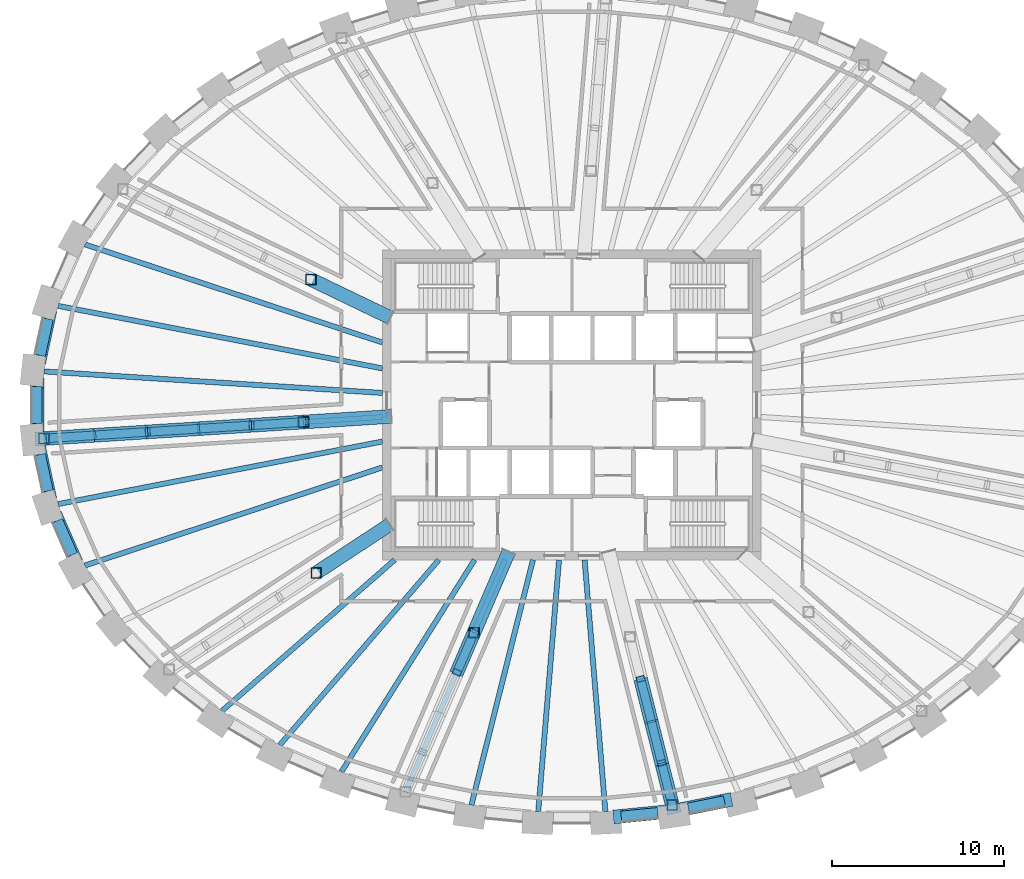
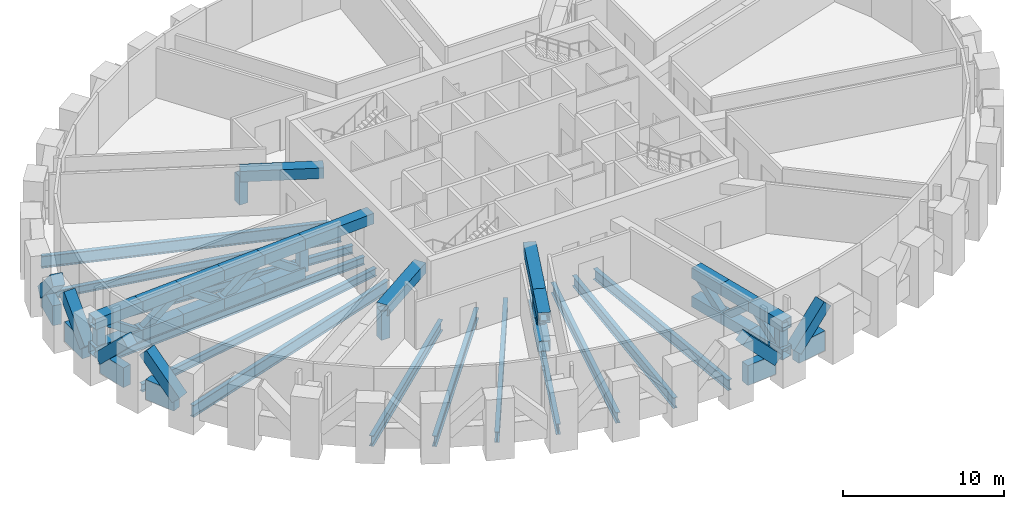
# One storey, part 2 of 12: 43 members, 19 beams.
"""IFC4 building model written with IfcOpenShell, lengths in metres."""

from ifc_helpers import new_model, si_unit, direction, frame, origin, origin_2d, place, context, subcontext, project, spatial, rectangle, hollow_rectangle, i_section, extrude, source, transform, mapped, material, material_profile, profile_set, type_object, element, save


model = new_model("IFC4")

# Units and contexts
model_context = context("Model", 3, precision=1e-05, world=origin(), true_north=direction((0.0, 1.0)))
body_context = subcontext(model_context, "Body", "Model", "MODEL_VIEW")
ifc_project = project(units=[si_unit("LENGTHUNIT", "METRE"), si_unit("AREAUNIT", "SQUARE_METRE"), si_unit("VOLUMEUNIT", "CUBIC_METRE"), si_unit("PLANEANGLEUNIT", "RADIAN"), si_unit("MASSUNIT", "GRAM", prefix="KILO")], contexts=[model_context])

# Site, building, storey
site_placement = place(None, origin())
site = spatial("IfcSite", under=ifc_project, at=site_placement, CompositionType="ELEMENT")
building_placement = place(site_placement, origin())
building = spatial("IfcBuilding", under=site, at=building_placement, Name="Embergate Tower", CompositionType="ELEMENT")
storey_placement = place(building_placement, frame((0.0, 0.0, 289.0)))
storey = spatial("IfcBuildingStorey", under=building, at=storey_placement, Name="L67", CompositionType="ELEMENT", Elevation=289.0)

# Beams
ifc_material_1 = material(Name="Concrete C50", Category="concrete")
ifc_material_profile_1 = material_profile(ifc_material_1, rectangle(XDim=0.60009765625, YDim=1.5, at=origin_2d()), Name="RC 600x1500")
ifc_profile_set_1 = profile_set([ifc_material_profile_1], Name="Concrete C50")
beam_type_1 = type_object("IfcBeamType", Name="Spandrel beam RC 600x1500 C50", PredefinedType="BEAM", material=ifc_profile_set_1)
shared_shape_1 = source(origin(), body_context, "Body", "SweptSolid", [
    extrude(rectangle(XDim=0.60009765625, YDim=1.5, at=origin_2d()), origin(), (0.0, 0.0, 1.0), 2.17041015625),
])
for number, where, z_axis, x_axis, name in (
    (1, (-30.41796875, 4.9970703125, 0.0), (-0.210112850605, -0.977677139965, 0.0), (0.977677139965, -0.210112850605, 0.0), "SPN-L67-20"),
    (2, (-30.8740234375, -2.875, 0.0), (0.210112850605, -0.977677139965, 0.0), (0.977677139965, 0.210112850605, 0.0), "SPN-L67-22"),
):
    element("IfcBeam", number, at=place(storey_placement, frame(where, z_axis=z_axis, x_axis=x_axis)), inside=storey, type_object=beam_type_1, Name=name, PredefinedType="BEAM", context=body_context, shape_type="MappedRepresentation", body=[
        mapped(shared_shape_1, transform((0.0, 0.0, 0.0))),
    ])
shared_shape_2 = source(origin(), body_context, "Body", "SweptSolid", [
    extrude(rectangle(XDim=0.60009765625, YDim=1.5, at=origin_2d()), origin(), (0.0, 0.0, 1.0), 2.1669921875),
])
beam_1_placement = place(storey_placement, frame((-29.864013671875, -6.708984375, 0.0), z_axis=(0.401994669844, -0.915642007237, 0.0), x_axis=(0.915642007237, 0.401994669844, 0.0)))
element("IfcBeam", 3, at=beam_1_placement, inside=storey, type_object=beam_type_1, Name="SPN-L67-23", PredefinedType="BEAM", context=body_context, shape_type="MappedRepresentation", body=[
    mapped(shared_shape_2, transform((0.0, 0.0, 0.0))),
])
shared_shape_3 = source(origin(), body_context, "Body", "SweptSolid", [
    extrude(rectangle(XDim=0.60009765625, YDim=1.5, at=origin_2d()), origin(), (0.0, 0.0, 1.0), 2.13671875),
])
beam_2_placement = place(storey_placement, frame((6.77001953125, -23.41796875, 0.0), z_axis=(0.980497086391, 0.196533619461, 0.0), x_axis=(-0.196533619461, 0.980497086391, 0.0)))
element("IfcBeam", 4, at=beam_2_placement, inside=storey, type_object=beam_type_1, Name="SPN-L67-34", PredefinedType="BEAM", context=body_context, shape_type="MappedRepresentation", body=[
    mapped(shared_shape_3, transform((0.0, 0.0, 0.0))),
])
shared_shape_4 = source(origin(), body_context, "Body", "SweptSolid", [
    extrude(rectangle(XDim=0.60009765625, YDim=1.5, at=origin_2d()), origin(), (0.0, 0.0, 1.0), 2.13427734375),
])
beam_3_placement = place(storey_placement, frame((2.865966796875, -23.89306640625, 0.0), z_axis=(0.995194487499, 0.097917986356, 0.0), x_axis=(-0.097917986356, 0.995194487499, 0.0)))
element("IfcBeam", 5, at=beam_3_placement, inside=storey, type_object=beam_type_1, Name="SPN-L67-33", PredefinedType="BEAM", context=body_context, shape_type="MappedRepresentation", body=[
    mapped(shared_shape_4, transform((0.0, 0.0, 0.0))),
])
shared_shape_5 = source(origin(), body_context, "Body", "SweptSolid", [
    extrude(rectangle(XDim=0.60009765625, YDim=1.5, at=origin_2d()), origin(), (0.0, 0.0, 1.0), 2.169921875),
])
beam_4_placement = place(storey_placement, frame((-31.06494140625, 1.0849609375, 0.0), z_axis=(0.0, -1.0, 0.0), x_axis=(1.0, 0.0, 0.0)))
element("IfcBeam", 6, at=beam_4_placement, inside=storey, type_object=beam_type_1, Name="SPN-L67-21", PredefinedType="BEAM", context=body_context, shape_type="MappedRepresentation", body=[
    mapped(shared_shape_5, transform((0.0, 0.0, 0.0))),
])
ifc_material_2 = material(Name="Steel Q355B", Category="steel")
ifc_material_profile_2 = material_profile(ifc_material_2, i_section(OverallWidth=0.300048828125, OverallDepth=0.587890625, WebThickness=0.011962890625, FlangeThickness=0.02001953125, FilletRadius=0.012939453125, at=origin_2d()), Name="HM 588x300x12x20")
ifc_profile_set_2 = profile_set([ifc_material_profile_2], Name="Steel Q355 grade B")
beam_type_2 = type_object("IfcBeamType", Name="Plant girder HM 588x300x12x20", PredefinedType="BEAM", material=ifc_profile_set_2)
shared_shape_6 = source(origin(), body_context, "Body", "SweptSolid", [
    extrude(i_section(OverallWidth=0.300048828125, OverallDepth=0.587890625, WebThickness=0.011962890625, FlangeThickness=0.02001953125, FilletRadius=0.012939453125, at=origin_2d()), origin(), (0.0, 0.0, 1.0), 19.70458984375),
])
for number, where, z_axis, x_axis, name in (
    (7, (-30.6650390625, 1.947998046875, -0.593994140625), (0.997989009721, -0.063387194887, 0.0), (0.063387194887, 0.997989009721, 0.0), "GIR-L67-21"),
    (8, (-30.6650390625, -1.947998046875, -0.593994140625), (0.997989009721, 0.063387194887, 0.0), (-0.063387194887, 0.997989009721, 0.0), "GIR-L67-22"),
):
    element("IfcBeam", number, at=place(storey_placement, frame(where, z_axis=z_axis, x_axis=x_axis)), inside=storey, type_object=beam_type_2, Name=name, PredefinedType="BEAM", context=body_context, shape_type="MappedRepresentation", body=[
        mapped(shared_shape_6, transform((0.0, 0.0, 0.0))),
    ])
shared_shape_7 = source(origin(), body_context, "Body", "SweptSolid", [
    extrude(i_section(OverallWidth=0.300048828125, OverallDepth=0.587890625, WebThickness=0.011962890625, FlangeThickness=0.02001953125, FilletRadius=0.012939453125, at=origin_2d()), origin(), (0.0, 0.0, 1.0), 19.1923828125),
])
for number, where, z_axis, x_axis, name in (
    (9, (-29.844970703125, 5.757080078125, -0.593994140625), (0.981900225542, -0.189398909924, 0.0), (0.189398909924, 0.981900225542, 0.0), "GIR-L67-20"),
    (10, (-29.844970703125, -5.757080078125, -0.593994140625), (0.981900225542, 0.189398909924, 0.0), (-0.189398909924, 0.981900225542, 0.0), "GIR-L67-23"),
):
    element("IfcBeam", number, at=place(storey_placement, frame(where, z_axis=z_axis, x_axis=x_axis)), inside=storey, type_object=beam_type_2, Name=name, PredefinedType="BEAM", context=body_context, shape_type="MappedRepresentation", body=[
        mapped(shared_shape_7, transform((0.0, 0.0, 0.0))),
    ])
ifc_material_profile_3 = material_profile(ifc_material_2, i_section(OverallWidth=0.300048828125, OverallDepth=0.89990234375, WebThickness=0.01611328125, FlangeThickness=0.028076171875, FilletRadius=0.028076171875, at=origin_2d()), Name="HN 900x300x16x28")
ifc_profile_set_3 = profile_set([ifc_material_profile_3], Name="Steel Q355 grade B")
beam_type_3 = type_object("IfcBeamType", Name="Plant girder HN 900x300x16x28", PredefinedType="BEAM", material=ifc_profile_set_3)
shared_shape_8 = source(origin(), body_context, "Body", "SweptSolid", [
    extrude(i_section(OverallWidth=0.300048828125, OverallDepth=0.89990234375, WebThickness=0.01611328125, FlangeThickness=0.028076171875, FilletRadius=0.028076171875, at=origin_2d()), origin(), (0.0, 0.0, 1.0), 18.194580078125),
])
for number, where, z_axis, x_axis, name in (
    (11, (-28.279052734375, 9.325927734375, -0.75), (0.949679549601, -0.313223168157, 0.0), (0.313223168157, 0.949679549601, 0.0), "GIR-L67-19"),
    (12, (-28.279052734375, -9.325927734375, -0.75), (0.949679549601, 0.313223168157, 0.0), (-0.313223168157, 0.949679549601, 0.0), "GIR-L67-24"),
):
    element("IfcBeam", number, at=place(storey_placement, frame(where, z_axis=z_axis, x_axis=x_axis)), inside=storey, type_object=beam_type_3, Name=name, PredefinedType="BEAM", context=body_context, shape_type="MappedRepresentation", body=[
        mapped(shared_shape_8, transform((0.0, 0.0, 0.0))),
    ])
ifc_material_profile_4 = material_profile(ifc_material_2, i_section(OverallWidth=0.300048828125, OverallDepth=0.800048828125, WebThickness=0.013916015625, FlangeThickness=0.02587890625, FilletRadius=0.028076171875, at=origin_2d()), Name="HN 800x300x14x26")
ifc_profile_set_4 = profile_set([ifc_material_profile_4], Name="Steel Q355 grade B")
beam_type_4 = type_object("IfcBeamType", Name="Plant girder HN 800x300x14x26", PredefinedType="BEAM", material=ifc_profile_set_4)
shared_shape_9 = source(origin(), body_context, "Body", "SweptSolid", [
    extrude(i_section(OverallWidth=0.300048828125, OverallDepth=0.800048828125, WebThickness=0.013916015625, FlangeThickness=0.02587890625, FilletRadius=0.028076171875, at=origin_2d()), origin(), (0.0, 0.0, 1.0), 13.325439453125),
])
beam_5_placement = place(storey_placement, frame((-20.322021484375, -17.77197265625, -0.699951171875), z_axis=(0.752768469268, 0.658285372522, 0.0), x_axis=(-0.658285372522, 0.752768469268, 0.0)))
element("IfcBeam", 13, at=beam_5_placement, inside=storey, type_object=beam_type_4, Name="GIR-L67-27", PredefinedType="BEAM", context=body_context, shape_type="MappedRepresentation", body=[
    mapped(shared_shape_9, transform((0.0, 0.0, 0.0))),
])
shared_shape_10 = source(origin(), body_context, "Body", "SweptSolid", [
    extrude(i_section(OverallWidth=0.300048828125, OverallDepth=0.800048828125, WebThickness=0.013916015625, FlangeThickness=0.02587890625, FilletRadius=0.028076171875, at=origin_2d()), origin(), (0.0, 0.0, 1.0), 14.16796875),
])
beam_6_placement = place(storey_placement, frame((-16.958984375, -19.7490234375, -0.699951171875), z_axis=(0.651463764724, 0.758679750126, 0.0), x_axis=(-0.758679750126, 0.651463764724, 0.0)))
element("IfcBeam", 14, at=beam_6_placement, inside=storey, type_object=beam_type_4, Name="GIR-L67-28", PredefinedType="BEAM", context=body_context, shape_type="MappedRepresentation", body=[
    mapped(shared_shape_10, transform((0.0, 0.0, 0.0))),
])
shared_shape_11 = source(origin(), body_context, "Body", "SweptSolid", [
    extrude(i_section(OverallWidth=0.300048828125, OverallDepth=0.800048828125, WebThickness=0.013916015625, FlangeThickness=0.02587890625, FilletRadius=0.028076171875, at=origin_2d()), origin(), (0.0, 0.0, 1.0), 14.5390625),
])
beam_7_placement = place(storey_placement, frame((-13.385009765625, -21.31201171875, -0.699951171875), z_axis=(0.531872320172, 0.846824559773, 0.0), x_axis=(-0.846824559773, 0.531872320172, 0.0)))
element("IfcBeam", 15, at=beam_7_placement, inside=storey, type_object=beam_type_4, Name="GIR-L67-29", PredefinedType="BEAM", context=body_context, shape_type="MappedRepresentation", body=[
    mapped(shared_shape_11, transform((0.0, 0.0, 0.0))),
])
shared_shape_12 = source(origin(), body_context, "Body", "SweptSolid", [
    extrude(i_section(OverallWidth=0.300048828125, OverallDepth=0.800048828125, WebThickness=0.013916015625, FlangeThickness=0.02587890625, FilletRadius=0.028076171875, at=origin_2d()), origin(), (0.0, 0.0, 1.0), 14.662841796875),
])
beam_8_placement = place(storey_placement, frame((-9.659912109375, -22.470947265625, -0.699951171875), z_axis=(0.394941891476, 0.918706102275, 0.0), x_axis=(-0.918706102275, 0.394941891476, 0.0)))
element("IfcBeam", 16, at=beam_8_placement, inside=storey, type_object=beam_type_4, Name="GIR-L67-30", PredefinedType="BEAM", context=body_context, shape_type="MappedRepresentation", body=[
    mapped(shared_shape_12, transform((0.0, 0.0, 0.0))),
])
shared_shape_13 = source(origin(), body_context, "Body", "SweptSolid", [
    extrude(i_section(OverallWidth=0.300048828125, OverallDepth=0.800048828125, WebThickness=0.013916015625, FlangeThickness=0.02587890625, FilletRadius=0.028076171875, at=origin_2d()), origin(), (0.0, 0.0, 1.0), 14.6806640625),
])
beam_9_placement = place(storey_placement, frame((-5.8330078125, -23.239013671875, -0.699951171875), z_axis=(0.243447235722, 0.969914142293, 0.0), x_axis=(-0.969914142293, 0.243447235722, 0.0)))
element("IfcBeam", 17, at=beam_9_placement, inside=storey, type_object=beam_type_4, Name="GIR-L67-31", PredefinedType="BEAM", context=body_context, shape_type="MappedRepresentation", body=[
    mapped(shared_shape_13, transform((0.0, 0.0, 0.0))),
])
shared_shape_14 = source(origin(), body_context, "Body", "SweptSolid", [
    extrude(i_section(OverallWidth=0.300048828125, OverallDepth=0.800048828125, WebThickness=0.013916015625, FlangeThickness=0.02587890625, FilletRadius=0.028076171875, at=origin_2d()), origin(), (0.0, 0.0, 1.0), 14.6708984375),
])
for number, where, z_axis, x_axis, name in (
    (18, (-1.950927734375, -23.62109375, -0.699951171875), (0.082340334024, 0.996604269203, 0.0), (-0.996604269203, 0.082340334024, 0.0), "GIR-L67-32"),
    (19, (1.950927734375, -23.62109375, -0.699951171875), (-0.082340334024, 0.996604269203, 0.0), (-0.996604269203, -0.082340334024, 0.0), "GIR-L67-33"),
):
    element("IfcBeam", number, at=place(storey_placement, frame(where, z_axis=z_axis, x_axis=x_axis)), inside=storey, type_object=beam_type_4, Name=name, PredefinedType="BEAM", context=body_context, shape_type="MappedRepresentation", body=[
        mapped(shared_shape_14, transform((0.0, 0.0, 0.0))),
    ])

# Members
ifc_material_profile_5 = material_profile(ifc_material_2, hollow_rectangle(XDim=0.60009765625, YDim=0.60009765625, WallThickness=0.028076171875, at=origin_2d()), Name="BOX 600x600x28")
ifc_profile_set_5 = profile_set([ifc_material_profile_5], Name="Steel Q355 grade B")
member_type_1 = type_object("IfcMemberType", Name="Outrigger post BOX 600x600x28", PredefinedType="POST", material=ifc_profile_set_5)
shared_shape_15 = source(origin(), body_context, "Body", "SweptSolid", [
    extrude(hollow_rectangle(XDim=0.60009765625, YDim=0.60009765625, WallThickness=0.028076171875, at=origin_2d()), origin(), (0.0, 0.0, 1.0), 2.150146484375),
])
for number, where, z_axis, x_axis, name in (
    (20, (-15.14501953125, 7.285888671875, 0.39990234375), (0.0, 0.0, 1.0), (1.0, 0.0, 0.0), "OUT-L67-18-PO00"),
    (21, (-15.591064453125, -0.990966796875, 0.39990234375), (0.0, 0.0, 1.0), (1.0, 0.0, 0.0), "OUT-L67-22-PO00"),
    (22, (-30.6650390625, -1.947998046875, 0.39990234375), (0.0, 0.0, 1.0), (1.0, 0.0, 0.0), "OUT-L67-22-PO05"),
    (23, (-14.843994140625, -9.7529296875, 0.39990234375), (0.0, 0.0, 1.0), (1.0, 0.0, 0.0), "OUT-L67-26-PO00"),
    (24, (-5.68603515625, -13.22607421875, 0.39990234375), (0.0, 0.0, 1.0), (1.0, 0.0, 0.0), "OUT-L67-30-PO00"),
    (25, (5.833984375, -23.239013671875, 0.39990234375), (0.0, 0.0, 1.0), (1.0, 0.0, 0.0), "OUT-L67-34-PO04"),
):
    element("IfcMember", number, at=place(storey_placement, frame(where, z_axis=z_axis, x_axis=x_axis)), inside=storey, type_object=member_type_1, Name=name, PredefinedType="POST", context=body_context, shape_type="MappedRepresentation", body=[
        mapped(shared_shape_15, transform((0.0, 0.0, 0.0))),
    ])
ifc_material_profile_6 = material_profile(ifc_material_2, hollow_rectangle(XDim=0.800048828125, YDim=0.800048828125, WallThickness=0.0400390625, at=origin_2d()), Name="BOX 800x800x40")
ifc_profile_set_6 = profile_set([ifc_material_profile_6], Name="Steel Q355 grade B")
member_type_2 = type_object("IfcMemberType", Name="Outrigger chord BOX 800x800x40", PredefinedType="CHORD", material=ifc_profile_set_6)
shared_shape_16 = source(origin(), body_context, "Body", "SweptSolid", [
    extrude(hollow_rectangle(XDim=0.800048828125, YDim=0.800048828125, WallThickness=0.0400390625, at=origin_2d()), origin(), (0.0, 0.0, 1.0), 5.200439453125),
])
for number, where, z_axis, x_axis, name in (
    (26, (-10.549072265625, 5.074951171875, 2.550048828125), (-0.901085246533, 0.433641993447, 0.0), (-0.433641993447, -0.901085246533, 0.0), "OUT-L67-18-TC00"),
    (27, (-10.5009765625, -0.6669921875, 2.550048828125), (-0.997983661198, -0.063471347725, 0.0), (0.063471347725, -0.997983661198, 0.0), "OUT-L67-22-TC00"),
    (28, (-10.58203125, -6.951904296875, 2.550048828125), (-0.83567962387, -0.549217230473, 0.0), (0.549217230473, -0.83567962387, 0.0), "OUT-L67-26-TC00"),
):
    element("IfcMember", number, at=place(storey_placement, frame(where, z_axis=z_axis, x_axis=x_axis)), inside=storey, type_object=member_type_2, Name=name, PredefinedType="CHORD", context=body_context, shape_type="MappedRepresentation", body=[
        mapped(shared_shape_16, transform((0.0, 0.0, 0.0))),
    ])
shared_shape_17 = source(origin(), body_context, "Body", "SweptSolid", [
    extrude(hollow_rectangle(XDim=0.800048828125, YDim=0.800048828125, WallThickness=0.0400390625, at=origin_2d()), origin(), (0.0, 0.0, 1.0), 3.120361328125),
])
for number, where, z_axis, x_axis, name in (
    (29, (-15.591064453125, -0.990966796875, 2.550048828125), (-0.998004486493, -0.063143051399, 0.0), (0.063143051399, -0.998004486493, 0.0), "OUT-L67-22-TC01"),
    (30, (-18.60595703125, -1.181884765625, 2.550048828125), (-0.997984715332, -0.063454771002, 0.0), (0.063454771002, -0.997984715332, 0.0), "OUT-L67-22-TC02"),
    (31, (-15.591064453125, -0.990966796875, 0.39990234375), (-0.998004486493, -0.063143051399, 0.0), (0.063143051399, -0.998004486493, 0.0), "OUT-L67-22-BC00"),
    (32, (-18.60595703125, -1.181884765625, 0.39990234375), (-0.997984715332, -0.063454771002, 0.0), (0.063454771002, -0.997984715332, 0.0), "OUT-L67-22-BC01"),
):
    element("IfcMember", number, at=place(storey_placement, frame(where, z_axis=z_axis, x_axis=x_axis)), inside=storey, type_object=member_type_2, Name=name, PredefinedType="CHORD", context=body_context, shape_type="MappedRepresentation", body=[
        mapped(shared_shape_17, transform((0.0, 0.0, 0.0))),
    ])
shared_shape_18 = source(origin(), body_context, "Body", "SweptSolid", [
    extrude(hollow_rectangle(XDim=0.800048828125, YDim=0.800048828125, WallThickness=0.0400390625, at=origin_2d()), origin(), (0.0, 0.0, 1.0), 3.12109375),
])
for number, where, z_axis, x_axis, name in (
    (33, (-21.6201171875, -1.3740234375, 2.550048828125), (-0.998005733761, -0.063123334677, 0.0), (0.063123334677, -0.998005733761, 0.0), "OUT-L67-22-TC03"),
    (34, (-21.6201171875, -1.3740234375, 0.39990234375), (-0.998005733761, -0.063123334677, 0.0), (0.063123334677, -0.998005733761, 0.0), "OUT-L67-22-BC02"),
):
    element("IfcMember", number, at=place(storey_placement, frame(where, z_axis=z_axis, x_axis=x_axis)), inside=storey, type_object=member_type_2, Name=name, PredefinedType="CHORD", context=body_context, shape_type="MappedRepresentation", body=[
        mapped(shared_shape_18, transform((0.0, 0.0, 0.0))),
    ])
shared_shape_19 = source(origin(), body_context, "Body", "SweptSolid", [
    extrude(hollow_rectangle(XDim=0.800048828125, YDim=0.800048828125, WallThickness=0.0400390625, at=origin_2d()), origin(), (0.0, 0.0, 1.0), 3.121337890625),
])
for number, where, z_axis, x_axis, name in (
    (35, (-24.635009765625, -1.56494140625, 2.550048828125), (-0.99798597492, -0.063434957729, 0.0), (0.063434957729, -0.99798597492, 0.0), "OUT-L67-22-TC04"),
    (36, (-24.635009765625, -1.56494140625, 0.39990234375), (-0.99798597492, -0.063434957729, 0.0), (0.063434957729, -0.99798597492, 0.0), "OUT-L67-22-BC03"),
):
    element("IfcMember", number, at=place(storey_placement, frame(where, z_axis=z_axis, x_axis=x_axis)), inside=storey, type_object=member_type_2, Name=name, PredefinedType="CHORD", context=body_context, shape_type="MappedRepresentation", body=[
        mapped(shared_shape_19, transform((0.0, 0.0, 0.0))),
    ])
shared_shape_20 = source(origin(), body_context, "Body", "SweptSolid", [
    extrude(hollow_rectangle(XDim=0.800048828125, YDim=0.800048828125, WallThickness=0.0400390625, at=origin_2d()), origin(), (0.0, 0.0, 1.0), 3.521240234375),
])
for number, where, z_axis, x_axis, name in (
    (37, (-27.64990234375, -1.757080078125, 2.550048828125), (-0.99799441759, -0.063301994113, 0.0), (0.063301994113, -0.99799441759, 0.0), "OUT-L67-22-TC05"),
    (38, (-27.64990234375, -1.757080078125, 0.39990234375), (-0.99799441759, -0.063301994113, 0.0), (0.063301994113, -0.99799441759, 0.0), "OUT-L67-22-BC04"),
):
    element("IfcMember", number, at=place(storey_placement, frame(where, z_axis=z_axis, x_axis=x_axis)), inside=storey, type_object=member_type_2, Name=name, PredefinedType="CHORD", context=body_context, shape_type="MappedRepresentation", body=[
        mapped(shared_shape_20, transform((0.0, 0.0, 0.0))),
    ])
ifc_material_profile_7 = material_profile(ifc_material_2, hollow_rectangle(XDim=0.5, YDim=0.5, WallThickness=0.02490234375, at=origin_2d()), Name="BOX 500x500x25")
ifc_profile_set_7 = profile_set([ifc_material_profile_7], Name="Steel Q355 grade B")
member_type_3 = type_object("IfcMemberType", Name="Outrigger diagonal BOX 500x500x25", PredefinedType="BRACE", material=ifc_profile_set_7)
shared_shape_21 = source(origin(), body_context, "Body", "SweptSolid", [
    extrude(hollow_rectangle(XDim=0.5, YDim=0.5, WallThickness=0.02490234375, at=origin_2d()), origin(), (0.0, 0.0, 1.0), 3.7080078125),
])
for number, where, z_axis, x_axis, name in (
    (39, (-15.591064453125, -0.990966796875, 0.39990234375), (-0.813080994562, -0.051488325998, 0.579869165043), (0.063198377995, -0.998000984478, 0.0), "OUT-L67-22-DG00"),
    (40, (-21.6201171875, -1.3740234375, 0.39990234375), (-0.813080994562, -0.051488325998, 0.579869165043), (0.063198377995, -0.998000984478, 0.0), "OUT-L67-22-DG02"),
    (41, (-24.635009765625, -1.56494140625, 2.550048828125), (-0.81306716878, -0.051816654128, -0.579859304838), (0.06360083033, -0.997975417724, 0.0), "OUT-L67-22-DG03"),
):
    element("IfcMember", number, at=place(storey_placement, frame(where, z_axis=z_axis, x_axis=x_axis)), inside=storey, type_object=member_type_3, Name=name, PredefinedType="BRACE", context=body_context, shape_type="MappedRepresentation", body=[
        mapped(shared_shape_21, transform((0.0, 0.0, 0.0))),
    ])
shared_shape_22 = source(origin(), body_context, "Body", "SweptSolid", [
    extrude(hollow_rectangle(XDim=0.5, YDim=0.5, WallThickness=0.02490234375, at=origin_2d()), origin(), (0.0, 0.0, 1.0), 3.70751953125),
])
member_1_placement = place(storey_placement, frame((-18.60595703125, -1.181884765625, 2.550048828125), z_axis=(-0.813000208079, -0.051824976815, -0.579952440673), x_axis=(0.063616222393, -0.997974436671, 0.0)))
element("IfcMember", 42, at=member_1_placement, inside=storey, type_object=member_type_3, Name="OUT-L67-22-DG01", PredefinedType="BRACE", context=body_context, shape_type="MappedRepresentation", body=[
    mapped(shared_shape_22, transform((0.0, 0.0, 0.0))),
])
shared_shape_23 = source(origin(), body_context, "Body", "SweptSolid", [
    extrude(hollow_rectangle(XDim=0.5, YDim=0.5, WallThickness=0.02490234375, at=origin_2d()), origin(), (0.0, 0.0, 1.0), 3.708251953125),
])
member_2_placement = place(storey_placement, frame((-27.64990234375, -1.757080078125, 0.39990234375), z_axis=(-0.813103306527, -0.051485569693, 0.579838123124), x_axis=(0.063193281154, -0.998001307222, 0.0)))
element("IfcMember", 43, at=member_2_placement, inside=storey, type_object=member_type_3, Name="OUT-L67-22-DG04", PredefinedType="BRACE", context=body_context, shape_type="MappedRepresentation", body=[
    mapped(shared_shape_23, transform((0.0, 0.0, 0.0))),
])
shared_shape_24 = source(origin(), body_context, "Body", "SweptSolid", [
    extrude(hollow_rectangle(XDim=0.800048828125, YDim=0.800048828125, WallThickness=0.0400390625, at=origin_2d()), origin(), (0.0, 0.0, 1.0), 5.199462890625),
])
member_3_placement = place(storey_placement, frame((-3.672119140625, -8.541015625, 2.550048828125), z_axis=(-0.394837135959, -0.918751128471, 0.0), x_axis=(0.918751128471, -0.394837135959, 0.0)))
element("IfcMember", 44, at=member_3_placement, inside=storey, type_object=member_type_2, Name="OUT-L67-30-TC00", PredefinedType="CHORD", context=body_context, shape_type="MappedRepresentation", body=[
    mapped(shared_shape_24, transform((0.0, 0.0, 0.0))),
])
shared_shape_25 = source(origin(), body_context, "Body", "SweptSolid", [
    extrude(hollow_rectangle(XDim=0.800048828125, YDim=0.800048828125, WallThickness=0.0400390625, at=origin_2d()), origin(), (0.0, 0.0, 1.0), 2.615478515625),
])
for number, where, z_axis, x_axis, name in (
    (45, (-5.68603515625, -13.22607421875, 2.550048828125), (-0.394944243172, -0.918705091302, 0.0), (0.918705091302, -0.394944243172, 0.0), "OUT-L67-30-TC01"),
    (46, (-5.68603515625, -13.22607421875, 0.39990234375), (-0.394944243172, -0.918705091302, 0.0), (0.918705091302, -0.394944243172, 0.0), "OUT-L67-30-BC00"),
):
    element("IfcMember", number, at=place(storey_placement, frame(where, z_axis=z_axis, x_axis=x_axis)), inside=storey, type_object=member_type_2, Name=name, PredefinedType="CHORD", context=body_context, shape_type="MappedRepresentation", body=[
        mapped(shared_shape_25, transform((0.0, 0.0, 0.0))),
    ])
shared_shape_26 = source(origin(), body_context, "Body", "SweptSolid", [
    extrude(hollow_rectangle(XDim=0.5, YDim=0.5, WallThickness=0.02490234375, at=origin_2d()), origin(), (0.0, 0.0, 1.0), 3.30908203125),
])
member_4_placement = place(storey_placement, frame((-5.68603515625, -13.22607421875, 0.39990234375), z_axis=(-0.300060674468, -0.698395462139, 0.649774861088), x_axis=(0.918788202153, -0.394750857612, 0.0)))
element("IfcMember", 47, at=member_4_placement, inside=storey, type_object=member_type_3, Name="OUT-L67-30-DG00", PredefinedType="BRACE", context=body_context, shape_type="MappedRepresentation", body=[
    mapped(shared_shape_26, transform((0.0, 0.0, 0.0))),
])
shared_shape_27 = source(origin(), body_context, "Body", "SweptSolid", [
    extrude(hollow_rectangle(XDim=0.800048828125, YDim=0.800048828125, WallThickness=0.0400390625, at=origin_2d()), origin(), (0.0, 0.0, 1.0), 2.619873046875),
])
for number, where, z_axis, x_axis, name in (
    (48, (3.992919921875, -15.906005859375, 2.550048828125), (0.243587934802, -0.969878816151, 0.0), (0.969878816151, 0.243587934802, 0.0), "OUT-L67-34-TC02"),
    (49, (3.992919921875, -15.906005859375, 0.39990234375), (0.243587934802, -0.969878816151, 0.0), (0.969878816151, 0.243587934802, 0.0), "OUT-L67-34-BC01"),
):
    element("IfcMember", number, at=place(storey_placement, frame(where, z_axis=z_axis, x_axis=x_axis)), inside=storey, type_object=member_type_2, Name=name, PredefinedType="CHORD", context=body_context, shape_type="MappedRepresentation", body=[
        mapped(shared_shape_27, transform((0.0, 0.0, 0.0))),
    ])
shared_shape_28 = source(origin(), body_context, "Body", "SweptSolid", [
    extrude(hollow_rectangle(XDim=0.800048828125, YDim=0.800048828125, WallThickness=0.0400390625, at=origin_2d()), origin(), (0.0, 0.0, 1.0), 2.620849609375),
])
for number, where, z_axis, x_axis, name in (
    (50, (4.60693359375, -18.35009765625, 2.550048828125), (0.24349990466, -0.969900920935, 0.0), (0.969900920935, 0.24349990466, 0.0), "OUT-L67-34-TC03"),
    (51, (4.60693359375, -18.35009765625, 0.39990234375), (0.24349990466, -0.969900920935, 0.0), (0.969900920935, 0.24349990466, 0.0), "OUT-L67-34-BC02"),
):
    element("IfcMember", number, at=place(storey_placement, frame(where, z_axis=z_axis, x_axis=x_axis)), inside=storey, type_object=member_type_2, Name=name, PredefinedType="CHORD", context=body_context, shape_type="MappedRepresentation", body=[
        mapped(shared_shape_28, transform((0.0, 0.0, 0.0))),
    ])
shared_shape_29 = source(origin(), body_context, "Body", "SweptSolid", [
    extrude(hollow_rectangle(XDim=0.800048828125, YDim=0.800048828125, WallThickness=0.0400390625, at=origin_2d()), origin(), (0.0, 0.0, 1.0), 3.020263671875),
])
for number, where, z_axis, x_axis, name in (
    (52, (5.219970703125, -20.794921875, 2.550048828125), (0.243714672061, -0.96984697691, 0.0), (0.96984697691, 0.243714672061, 0.0), "OUT-L67-34-TC04"),
    (53, (5.219970703125, -20.794921875, 0.39990234375), (0.243714672061, -0.96984697691, 0.0), (0.96984697691, 0.243714672061, 0.0), "OUT-L67-34-BC03"),
):
    element("IfcMember", number, at=place(storey_placement, frame(where, z_axis=z_axis, x_axis=x_axis)), inside=storey, type_object=member_type_2, Name=name, PredefinedType="CHORD", context=body_context, shape_type="MappedRepresentation", body=[
        mapped(shared_shape_29, transform((0.0, 0.0, 0.0))),
    ])
shared_shape_30 = source(origin(), body_context, "Body", "SweptSolid", [
    extrude(hollow_rectangle(XDim=0.5, YDim=0.5, WallThickness=0.02490234375, at=origin_2d()), origin(), (0.0, 0.0, 1.0), 3.312744140625),
])
for number, where, z_axis, x_axis, name in (
    (54, (3.992919921875, -15.906005859375, 2.550048828125), (0.185353571001, -0.737803021585, -0.649069145051), (0.96986261567, 0.243652430168, 0.0), "OUT-L67-34-DG01"),
    (55, (5.219970703125, -20.794921875, 2.550048828125), (0.185353571001, -0.737803021585, -0.649069145051), (0.96986261567, 0.243652430168, 0.0), "OUT-L67-34-DG03"),
):
    element("IfcMember", number, at=place(storey_placement, frame(where, z_axis=z_axis, x_axis=x_axis)), inside=storey, type_object=member_type_3, Name=name, PredefinedType="BRACE", context=body_context, shape_type="MappedRepresentation", body=[
        mapped(shared_shape_30, transform((0.0, 0.0, 0.0))),
    ])
shared_shape_31 = source(origin(), body_context, "Body", "SweptSolid", [
    extrude(hollow_rectangle(XDim=0.5, YDim=0.5, WallThickness=0.02490234375, at=origin_2d()), origin(), (0.0, 0.0, 1.0), 3.31298828125),
])
member_5_placement = place(storey_placement, frame((4.60693359375, -18.35009765625, 0.39990234375), z_axis=(0.185038688694, -0.737944017756, 0.64899869826), x_axis=(0.969971327104, 0.243219293225, 0.0)))
element("IfcMember", 56, at=member_5_placement, inside=storey, type_object=member_type_3, Name="OUT-L67-34-DG02", PredefinedType="BRACE", context=body_context, shape_type="MappedRepresentation", body=[
    mapped(shared_shape_31, transform((0.0, 0.0, 0.0))),
])
ifc_material_3 = material(Name="Concrete C70", Category="concrete")
ifc_material_profile_8 = material_profile(ifc_material_3, rectangle(XDim=0.800048828125, YDim=0.800048828125, at=origin_2d()), Name="RC 800x800")
ifc_profile_set_8 = profile_set([ifc_material_profile_8], Name="Concrete C70")
member_type_4 = type_object("IfcMemberType", Name="Belt ring diagonal RC 800x800", PredefinedType="BRACE", material=ifc_profile_set_8)
shared_shape_32 = source(origin(), body_context, "Body", "SweptSolid", [
    extrude(rectangle(XDim=0.800048828125, YDim=0.800048828125, at=origin_2d()), origin(), (0.0, 0.0, 1.0), 3.625244140625),
])
for number, where, z_axis, x_axis, name in (
    (57, (-30.37109375, 5.217041015625, 0.2060546875), (-0.147822149632, -0.687659211794, 0.710825872147), (0.977666295212, -0.210163306042, 0.0), "BLT-L67-20"),
    (58, (-30.906982421875, -2.72412109375, 0.277099609375), (0.147822149632, -0.687659211794, 0.710825872147), (0.977666295212, 0.210163306042, 0.0), "BLT-L67-22"),
):
    element("IfcMember", number, at=place(storey_placement, frame(where, z_axis=z_axis, x_axis=x_axis)), inside=storey, type_object=member_type_4, Name=name, PredefinedType="BRACE", context=body_context, shape_type="MappedRepresentation", body=[
        mapped(shared_shape_32, transform((0.0, 0.0, 0.0))),
    ])
shared_shape_33 = source(origin(), body_context, "Body", "SweptSolid", [
    extrude(rectangle(XDim=0.800048828125, YDim=0.800048828125, at=origin_2d()), origin(), (0.0, 0.0, 1.0), 3.60302734375),
])
member_6_placement = place(storey_placement, frame((-28.903076171875, -8.89892578125, 0.2060546875), z_axis=(-0.282489552157, 0.643580179033, 0.711339726205), x_axis=(-0.915674320086, -0.401921061322, 0.0)))
element("IfcMember", 59, at=member_6_placement, inside=storey, type_object=member_type_4, Name="BLT-L67-23", PredefinedType="BRACE", context=body_context, shape_type="MappedRepresentation", body=[
    mapped(shared_shape_33, transform((0.0, 0.0, 0.0))),
])
shared_shape_34 = source(origin(), body_context, "Body", "SweptSolid", [
    extrude(rectangle(XDim=0.800048828125, YDim=0.800048828125, at=origin_2d()), origin(), (0.0, 0.0, 1.0), 3.501708984375),
])
member_7_placement = place(storey_placement, frame((5.12890625, -23.669921875, 0.2890625), z_axis=(-0.693647427759, -0.068256189745, 0.717073454065), x_axis=(0.097928872709, -0.995193416322, 0.0)))
element("IfcMember", 60, at=member_7_placement, inside=storey, type_object=member_type_4, Name="BLT-L67-33", PredefinedType="BRACE", context=body_context, shape_type="MappedRepresentation", body=[
    mapped(shared_shape_34, transform((0.0, 0.0, 0.0))),
])
shared_shape_35 = source(origin(), body_context, "Body", "SweptSolid", [
    extrude(rectangle(XDim=0.800048828125, YDim=0.800048828125, at=origin_2d()), origin(), (0.0, 0.0, 1.0), 3.54296875),
])
member_8_placement = place(storey_placement, frame((6.5791015625, -23.4560546875, 0.23193359375), z_axis=(0.683854667589, 0.136922533706, 0.716655435603), x_axis=(-0.19632514084, 0.980538851384, 0.0)))
element("IfcMember", 61, at=member_8_placement, inside=storey, type_object=member_type_4, Name="BLT-L67-34", PredefinedType="BRACE", context=body_context, shape_type="MappedRepresentation", body=[
    mapped(shared_shape_35, transform((0.0, 0.0, 0.0))),
])
shared_shape_36 = source(origin(), body_context, "Body", "SweptSolid", [
    extrude(rectangle(XDim=0.800048828125, YDim=0.800048828125, at=origin_2d()), origin(), (0.0, 0.0, 1.0), 3.64599609375),
])
member_9_placement = place(storey_placement, frame((-31.06494140625, -1.281982421875, 0.23388671875), z_axis=(0.0, 0.703245922756, 0.710946673195), x_axis=(-1.0, 0.0, 0.0)))
element("IfcMember", 62, at=member_9_placement, inside=storey, type_object=member_type_4, Name="BLT-L67-21", PredefinedType="BRACE", context=body_context, shape_type="MappedRepresentation", body=[
    mapped(shared_shape_36, transform((0.0, 0.0, 0.0))),
])

save(model, "model.ifc")
